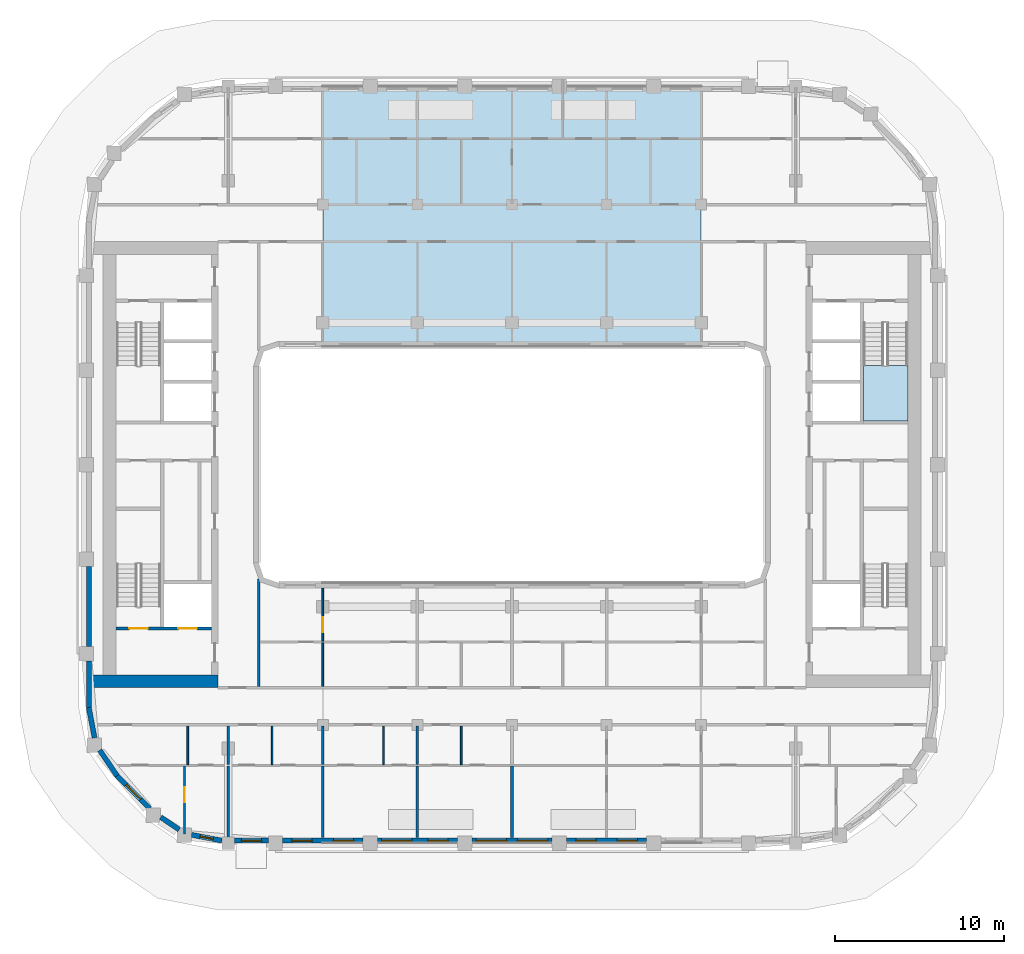
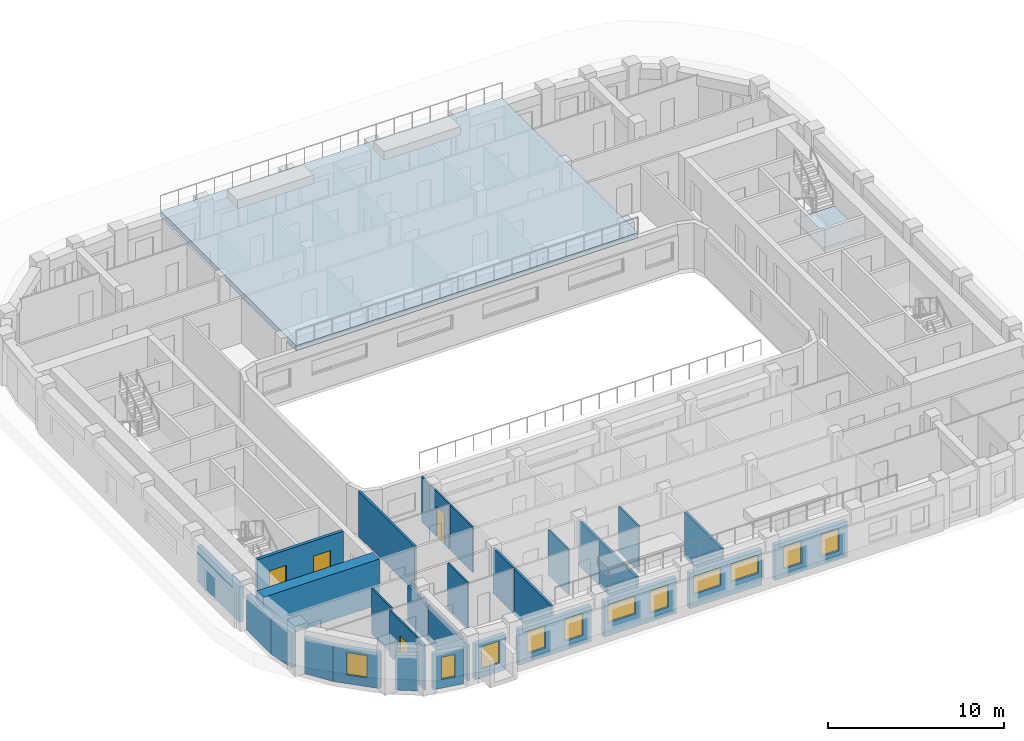
# One storey, part 2 of 16: 29 walls, 11 windows, 4 doors, 2 slabs, 15 openings, 1 element without a shape of its own.
"""IFC4 building model written with IfcOpenShell, lengths in metres."""

from ifc_helpers import new_model, si_unit, direction, frame, frame_2d, origin, place, context, subcontext, project, spatial, polyline, rectangle, outline, extrude, material, layer, layer_set, type_object, element, fill, aggregate, save


model = new_model("IFC4")

# Units and contexts
model_context = context("Model", 3, precision=1e-05, world=origin(), true_north=direction((0.0, 1.0)))
body_context = subcontext(model_context, "Body", "Model", "MODEL_VIEW")
ifc_project = project(units=[si_unit("LENGTHUNIT", "METRE"), si_unit("AREAUNIT", "SQUARE_METRE"), si_unit("VOLUMEUNIT", "CUBIC_METRE"), si_unit("PLANEANGLEUNIT", "RADIAN"), si_unit("MASSUNIT", "GRAM", prefix="KILO")], contexts=[model_context])

# Site, building, storey
site_placement = place(None, origin())
site = spatial("IfcSite", under=ifc_project, at=site_placement, CompositionType="ELEMENT")
building_placement = place(site_placement, origin())
building = spatial("IfcBuilding", under=site, at=building_placement, Name="Kiln Ring Residences", CompositionType="ELEMENT")
storey_placement = place(building_placement, frame((0.0, 0.0, 227.39990234375)))
storey = spatial("IfcBuildingStorey", under=building, at=storey_placement, Name="L59", CompositionType="ELEMENT", Elevation=227.39990234375)

# Stair, slab
ifc_material_1 = material(Name="Concrete C40/50", Category="concrete")
stair_type = type_object("IfcStairType", Name="CORE-STAIR", PredefinedType="HALF_TURN_STAIR", material=ifc_material_1)
stair_placement = place(storey_placement, origin())
stair = element("IfcStair", 1, at=stair_placement, inside=storey, type_object=stair_type, Name="L59 stair E-STN", PredefinedType="HALF_TURN_STAIR")
ifc_material_2 = material(Name="Concrete C40/50", Category="concrete")
ifc_layer_1 = layer(ifc_material_2, 0.199951171875)
ifc_layer_set_1 = layer_set([ifc_layer_1], Name="CORE-STAIR-LANDING")
slab_type_1 = type_object("IfcSlabType", Name="CORE-STAIR-LANDING", PredefinedType="LANDING", material=ifc_layer_set_1)
slab_1_placement = place(storey_placement, frame((0.0, 0.0, 1.550048828125)))
slab_1 = element("IfcSlab", 2, at=slab_1_placement, type_object=slab_type_1, Name="E-STN landing 1", PredefinedType="LANDING", context=body_context, shape_type="SweptSolid", body=[
    extrude(outline(polyline([(20.800048828125, 5.8798828125), (20.800048828125, 2.60009765625), (23.449951171875, 2.60009765625), (23.449951171875, 5.8798828125), (20.800048828125, 5.8798828125)])), origin(), (0.0, 0.0, 1.0), 0.199951171875),
])
aggregate(stair, [slab_1])

# Slab
ifc_material_3 = material(Name="Concrete C40/50", Category="concrete")
ifc_layer_2 = layer(ifc_material_3, 0.35009765625)
ifc_layer_set_2 = layer_set([ifc_layer_2], Name="Roof slab 350")
slab_type_2 = type_object("IfcSlabType", Name="Roof slab 350", PredefinedType="ROOF", material=ifc_layer_set_2)
slab_2_placement = place(storey_placement, frame((0.0, 0.0, 3.150146484375)))
element("IfcSlab", 3, at=slab_2_placement, inside=storey, type_object=slab_type_2, Name="Roof slab L59 2", PredefinedType="ROOF", context=body_context, shape_type="SweptSolid", body=[
    extrude(outline(polyline([(-11.199462890625, 22.39990234375), (-11.199462890625, 7.0), (11.199462890625, 7.0), (11.199462890625, 22.39990234375), (-11.199462890625, 22.39990234375)])), origin(), (0.0, 0.0, 1.0), 0.349853515625),
])

# Wall, openings, doors
ifc_material_4 = material(Name="Concrete C40/50", Category="concrete")
ifc_layer_3 = layer(ifc_material_4, 0.199951171875)
ifc_layer_set_3 = layer_set([ifc_layer_3], Name="CORE-WALL-RC200")
wall_type_1 = type_object("IfcWallType", Name="CORE-WALL-RC200", PredefinedType="SHEAR", material=ifc_layer_set_3)
wall_1_placement = place(storey_placement, frame((-17.800048828125, -9.699951171875, 0.0), z_axis=(0.0, 0.0, 1.0), x_axis=(-1.0, 0.0, 0.0)))
wall_1 = element("IfcWall", 4, at=wall_1_placement, inside=storey, type_object=wall_type_1, Name="Core wall west L59 8", PredefinedType="SHEAR", context=body_context, shape_type="SweptSolid", body=[
    extrude(rectangle(XDim=5.64990234375, YDim=0.199951171875, at=frame_2d((2.824951171875, 0.0))), origin(), (0.0, 0.0, 1.0), 3.150146484375),
])
opening_1_placement = place(wall_1_placement, frame((0.85009765625, 0.0, 0.0)))
opening_1 = element("IfcOpeningElement", 5, at=opening_1_placement, cuts=wall_1, Name="Opening L59-CW01", PredefinedType="OPENING", context=body_context, shape_type="SweptSolid", body=[
    extrude(rectangle(XDim=1.10009765625, YDim=2.10009765625, at=frame_2d((0.550048828125, 1.050048828125))), frame((0.0, 0.10986328125, 0.0), z_axis=(0.0, -1.0, 0.0), x_axis=(1.0, 0.0, 0.0)), (0.0, 0.0, 1.0), 0.219970703125),
])
opening_2_placement = place(wall_1_placement, frame((3.75, 0.0, 0.0)))
opening_2 = element("IfcOpeningElement", 6, at=opening_2_placement, cuts=wall_1, Name="Opening L59-CW10", PredefinedType="OPENING", context=body_context, shape_type="SweptSolid", body=[
    extrude(rectangle(XDim=1.10009765625, YDim=2.10009765625, at=frame_2d((0.550048828125, 1.050048828125))), frame((0.0, 0.10986328125, 0.0), z_axis=(0.0, -1.0, 0.0), x_axis=(1.0, 0.0, 0.0)), (0.0, 0.0, 1.0), 0.219970703125),
])
ifc_material_5 = material(Name="Steel door leaf", Category="steel")
door_type_1 = type_object("IfcDoorType", Name="CORE-DOOR-LD", OperationType="DOUBLE_DOOR_SLIDING", PredefinedType="DOOR", material=ifc_material_5)
door_1_placement = place(opening_1_placement, origin())
door_1 = element("IfcDoor", 7, at=door_1_placement, inside=storey, type_object=door_type_1, Name="LD W-SV L59-CW01", OperationType="DOUBLE_DOOR_SLIDING", OverallHeight=2.10009765625, OverallWidth=1.10009765625, PredefinedType="DOOR", context=body_context, shape_type="SweptSolid", body=[
    extrude(rectangle(XDim=1.10009765625, YDim=2.10009765625, at=frame_2d((0.550048828125, 1.050048828125))), frame((0.0, 0.02490234375, 0.0), z_axis=(0.0, -1.0, 0.0), x_axis=(1.0, 0.0, 0.0)), (0.0, 0.0, 1.0), 0.050048828125),
])
fill(opening_1, door_1)
ifc_material_6 = material(Name="Steel door leaf", Category="steel")
door_type_2 = type_object("IfcDoorType", Name="CORE-DOOR-STAIR", OperationType="SINGLE_SWING_LEFT", PredefinedType="DOOR", material=ifc_material_6)
door_2_placement = place(opening_2_placement, origin())
door_2 = element("IfcDoor", 8, at=door_2_placement, inside=storey, type_object=door_type_2, Name="Stair W-STS L59-CW10", OperationType="SINGLE_SWING_LEFT", OverallHeight=2.10009765625, OverallWidth=1.10009765625, PredefinedType="DOOR", context=body_context, shape_type="SweptSolid", body=[
    extrude(rectangle(XDim=1.10009765625, YDim=2.10009765625, at=frame_2d((0.550048828125, 1.050048828125))), frame((0.0, 0.02490234375, 0.0), z_axis=(0.0, -1.0, 0.0), x_axis=(1.0, 0.0, 0.0)), (0.0, 0.0, 1.0), 0.050048828125),
])
fill(opening_2, door_2)

# Wall
ifc_material_7 = material(Name="Concrete C60/75", Category="concrete")
ifc_layer_4 = layer(ifc_material_7, 0.75)
ifc_layer_set_4 = layer_set([ifc_layer_4], Name="CORE-WALL-RC750")
wall_type_2 = type_object("IfcWallType", Name="CORE-WALL-RC750", PredefinedType="SHEAR", material=ifc_layer_set_4)
wall_2_placement = place(storey_placement, frame((-17.39990234375, -12.824951171875, 0.0), z_axis=(0.0, 0.0, 1.0), x_axis=(-1.0, 0.0, 0.0)))
element("IfcWall", 9, at=wall_2_placement, inside=storey, type_object=wall_type_2, Name="Core wall west L59 5", PredefinedType="SHEAR", context=body_context, shape_type="SweptSolid", body=[
    extrude(rectangle(XDim=7.60009765625, YDim=0.75, at=frame_2d((3.800048828125, 0.0))), origin(), (0.0, 0.0, 1.0), 3.150146484375),
])

# Wall, opening, window
ifc_material_8 = material(Name="Brick masonry, dark clay brick", Category="masonry")
ifc_layer_5 = layer(ifc_material_8, 0.300048828125)
ifc_layer_set_5 = layer_set([ifc_layer_5], Name="EW-300 BRICK WALL")
wall_type_3 = type_object("IfcWallType", Name="EW-300 BRICK WALL", PredefinedType="SOLIDWALL", material=ifc_layer_set_5)
wall_3_placement = place(storey_placement, frame((-23.39697265625, -18.390869140625, 0.0), z_axis=(0.0, 0.0, 1.0), x_axis=(0.707106781187, -0.707106781187, 0.0)))
wall_3 = element("IfcWall", 10, at=wall_3_placement, inside=storey, type_object=wall_type_3, Name="Facade wall L59 1", PredefinedType="SOLIDWALL", context=body_context, shape_type="SweptSolid", body=[
    extrude(rectangle(XDim=2.775146484375, YDim=0.300048828125, at=frame_2d((1.3876953125, 0.0))), origin(), (0.0, 0.0, 1.0), 2.4501953125),
])
opening_3_placement = place(wall_3_placement, frame((0.78759765625, 0.0, 0.60009765625)))
opening_3 = element("IfcOpeningElement", 11, at=opening_3_placement, cuts=wall_3, Name="Opening W1", PredefinedType="OPENING", context=body_context, shape_type="SweptSolid", body=[
    extrude(rectangle(XDim=1.199951171875, YDim=1.550048828125, at=frame_2d((0.60009765625, 0.77490234375))), frame((0.0, 0.159912109375, 0.0), z_axis=(0.0, -1.0, 0.0), x_axis=(1.0, 0.0, 0.0)), (0.0, 0.0, 1.0), 0.320068359375),
])
ifc_material_9 = material(Name="Aluminium frame with double glazing", Category="aluminium")
window_type_1 = type_object("IfcWindowType", Name="WINDOW 1200 x 1550", PartitioningType="SINGLE_PANEL", PredefinedType="WINDOW", material=ifc_material_9)
window_1_placement = place(opening_3_placement, origin())
window_1 = element("IfcWindow", 12, at=window_1_placement, inside=storey, type_object=window_type_1, Name="Window L59 1", OverallHeight=1.550048828125, OverallWidth=1.199951171875, PartitioningType="SINGLE_PANEL", PredefinedType="WINDOW", context=body_context, shape_type="SweptSolid", body=[
    extrude(rectangle(XDim=1.199951171875, YDim=1.550048828125, at=frame_2d((0.60009765625, 0.77490234375))), frame((0.0, 0.030029296875, 0.0), z_axis=(0.0, -1.0, 0.0), x_axis=(1.0, 0.0, 0.0)), (0.0, 0.0, 1.0), 0.06005859375),
])
fill(opening_3, window_1)

# Wall
wall_4_placement = place(storey_placement, frame((-20.7958984375, -20.862060546875, 0.0), z_axis=(0.0, 0.0, 1.0), x_axis=(0.827035970432, -0.562149004813, 0.0)))
element("IfcWall", 13, at=wall_4_placement, inside=storey, type_object=wall_type_3, Name="Facade wall L59 2", PredefinedType="SOLIDWALL", context=body_context, shape_type="SweptSolid", body=[
    extrude(rectangle(XDim=1.3271484375, YDim=0.300048828125, at=frame_2d((0.66357421875, 0.0))), origin(), (0.0, 0.0, 1.0), 2.4501953125),
])

# Wall, opening, window
wall_5_placement = place(storey_placement, frame((-18.970703125, -21.90966796875, 0.0), z_axis=(0.0, 0.0, 1.0), x_axis=(0.982300037503, -0.187314271538, 0.0)))
wall_5 = element("IfcWall", 14, at=wall_5_placement, inside=storey, type_object=wall_type_3, Name="Facade wall L59 3", PredefinedType="SOLIDWALL", context=body_context, shape_type="SweptSolid", body=[
    extrude(rectangle(XDim=1.831298828125, YDim=0.300048828125, at=frame_2d((0.91552734375, 0.0))), origin(), (0.0, 0.0, 1.0), 2.4501953125),
])
opening_4_placement = place(wall_5_placement, frame((0.515625, 0.0, 0.60009765625)))
opening_4 = element("IfcOpeningElement", 15, at=opening_4_placement, cuts=wall_5, Name="Opening W5", PredefinedType="OPENING", context=body_context, shape_type="SweptSolid", body=[
    extrude(rectangle(XDim=0.800048828125, YDim=1.550048828125, at=frame_2d((0.39990234375, 0.77490234375))), frame((0.0, 0.159912109375, 0.0), z_axis=(0.0, -1.0, 0.0), x_axis=(1.0, 0.0, 0.0)), (0.0, 0.0, 1.0), 0.320068359375),
])
ifc_material_10 = material(Name="Aluminium frame with double glazing", Category="aluminium")
window_type_2 = type_object("IfcWindowType", Name="WINDOW 800 x 1550", PartitioningType="SINGLE_PANEL", PredefinedType="WINDOW", material=ifc_material_10)
window_2_placement = place(opening_4_placement, origin())
window_2 = element("IfcWindow", 16, at=window_2_placement, inside=storey, type_object=window_type_2, Name="Window L59 2", OverallHeight=1.550048828125, OverallWidth=0.800048828125, PartitioningType="SINGLE_PANEL", PredefinedType="WINDOW", context=body_context, shape_type="SweptSolid", body=[
    extrude(rectangle(XDim=0.800048828125, YDim=1.550048828125, at=frame_2d((0.39990234375, 0.77490234375))), frame((0.0, 0.030029296875, 0.0), z_axis=(0.0, -1.0, 0.0), x_axis=(1.0, 0.0, 0.0)), (0.0, 0.0, 1.0), 0.06005859375),
])
fill(opening_4, window_2)

wall_6_placement = place(storey_placement, frame((-16.425048828125, -22.25, 0.0), z_axis=(0.0, 0.0, 1.0), x_axis=(1.0, 0.0, 0.0)))
wall_6 = element("IfcWall", 17, at=wall_6_placement, inside=storey, type_object=wall_type_3, Name="Facade wall L59 4", PredefinedType="SOLIDWALL", context=body_context, shape_type="SweptSolid", body=[
    extrude(rectangle(XDim=2.0, YDim=0.300048828125, at=frame_2d((1.0, 0.0))), origin(), (0.0, 0.0, 1.0), 2.4501953125),
])
opening_5_placement = place(wall_6_placement, frame((0.39990234375, 0.0, 0.60009765625)))
opening_5 = element("IfcOpeningElement", 18, at=opening_5_placement, cuts=wall_6, Name="Opening W1", PredefinedType="OPENING", context=body_context, shape_type="SweptSolid", body=[
    extrude(rectangle(XDim=1.199951171875, YDim=1.550048828125, at=frame_2d((0.60009765625, 0.77490234375))), frame((0.0, 0.159912109375, 0.0), z_axis=(0.0, -1.0, 0.0), x_axis=(1.0, 0.0, 0.0)), (0.0, 0.0, 1.0), 0.320068359375),
])
window_3_placement = place(opening_5_placement, origin())
window_3 = element("IfcWindow", 19, at=window_3_placement, inside=storey, type_object=window_type_1, Name="Window L59 3", OverallHeight=1.550048828125, OverallWidth=1.199951171875, PartitioningType="SINGLE_PANEL", PredefinedType="WINDOW", context=body_context, shape_type="SweptSolid", body=[
    extrude(rectangle(XDim=1.199951171875, YDim=1.550048828125, at=frame_2d((0.60009765625, 0.77490234375))), frame((0.0, 0.030029296875, 0.0), z_axis=(0.0, -1.0, 0.0), x_axis=(1.0, 0.0, 0.0)), (0.0, 0.0, 1.0), 0.06005859375),
])
fill(opening_5, window_3)

# Wall, openings, windows
wall_7_placement = place(storey_placement, frame((-13.574951171875, -22.25, 0.0), z_axis=(0.0, 0.0, 1.0), x_axis=(1.0, 0.0, 0.0)))
wall_7 = element("IfcWall", 20, at=wall_7_placement, inside=storey, type_object=wall_type_3, Name="Facade wall L59 5", PredefinedType="SOLIDWALL", context=body_context, shape_type="SweptSolid", body=[
    extrude(rectangle(XDim=4.75, YDim=0.300048828125, at=frame_2d((2.375, 0.0))), origin(), (0.0, 0.0, 1.0), 2.4501953125),
])
opening_6_placement = place(wall_7_placement, frame((0.550048828125, 0.0, 0.60009765625)))
opening_6 = element("IfcOpeningElement", 21, at=opening_6_placement, cuts=wall_7, Name="Opening W1", PredefinedType="OPENING", context=body_context, shape_type="SweptSolid", body=[
    extrude(rectangle(XDim=1.199951171875, YDim=1.550048828125, at=frame_2d((0.60009765625, 0.77490234375))), frame((0.0, 0.159912109375, 0.0), z_axis=(0.0, -1.0, 0.0), x_axis=(1.0, 0.0, 0.0)), (0.0, 0.0, 1.0), 0.320068359375),
])
opening_7_placement = place(wall_7_placement, frame((3.0, 0.0, 0.60009765625)))
opening_7 = element("IfcOpeningElement", 22, at=opening_7_placement, cuts=wall_7, Name="Opening W1", PredefinedType="OPENING", context=body_context, shape_type="SweptSolid", body=[
    extrude(rectangle(XDim=1.199951171875, YDim=1.550048828125, at=frame_2d((0.60009765625, 0.77490234375))), frame((0.0, 0.159912109375, 0.0), z_axis=(0.0, -1.0, 0.0), x_axis=(1.0, 0.0, 0.0)), (0.0, 0.0, 1.0), 0.320068359375),
])
window_4_placement = place(opening_6_placement, origin())
window_4 = element("IfcWindow", 23, at=window_4_placement, inside=storey, type_object=window_type_1, Name="Window L59 4", OverallHeight=1.550048828125, OverallWidth=1.199951171875, PartitioningType="SINGLE_PANEL", PredefinedType="WINDOW", context=body_context, shape_type="SweptSolid", body=[
    extrude(rectangle(XDim=1.199951171875, YDim=1.550048828125, at=frame_2d((0.60009765625, 0.77490234375))), frame((0.0, 0.030029296875, 0.0), z_axis=(0.0, -1.0, 0.0), x_axis=(1.0, 0.0, 0.0)), (0.0, 0.0, 1.0), 0.06005859375),
])
fill(opening_6, window_4)
window_5_placement = place(opening_7_placement, origin())
window_5 = element("IfcWindow", 24, at=window_5_placement, inside=storey, type_object=window_type_1, Name="Window L59 5", OverallHeight=1.550048828125, OverallWidth=1.199951171875, PartitioningType="SINGLE_PANEL", PredefinedType="WINDOW", context=body_context, shape_type="SweptSolid", body=[
    extrude(rectangle(XDim=1.199951171875, YDim=1.550048828125, at=frame_2d((0.60009765625, 0.77490234375))), frame((0.0, 0.030029296875, 0.0), z_axis=(0.0, -1.0, 0.0), x_axis=(1.0, 0.0, 0.0)), (0.0, 0.0, 1.0), 0.06005859375),
])
fill(opening_7, window_5)

wall_8_placement = place(storey_placement, frame((-7.97509765625, -22.25, 0.0), z_axis=(0.0, 0.0, 1.0), x_axis=(1.0, 0.0, 0.0)))
wall_8 = element("IfcWall", 25, at=wall_8_placement, inside=storey, type_object=wall_type_3, Name="Facade wall L59 6", PredefinedType="SOLIDWALL", context=body_context, shape_type="SweptSolid", body=[
    extrude(rectangle(XDim=4.75, YDim=0.300048828125, at=frame_2d((2.375, 0.0))), origin(), (0.0, 0.0, 1.0), 2.4501953125),
])
opening_8_placement = place(wall_8_placement, frame((0.25, 0.0, 0.89990234375)))
opening_8 = element("IfcOpeningElement", 26, at=opening_8_placement, cuts=wall_8, Name="Opening W2", PredefinedType="OPENING", context=body_context, shape_type="SweptSolid", body=[
    extrude(rectangle(XDim=1.800048828125, YDim=1.25, at=frame_2d((0.89990234375, 0.625))), frame((0.0, 0.159912109375, 0.0), z_axis=(0.0, -1.0, 0.0), x_axis=(1.0, 0.0, 0.0)), (0.0, 0.0, 1.0), 0.320068359375),
])
opening_9_placement = place(wall_8_placement, frame((3.0, 0.0, 0.60009765625)))
opening_9 = element("IfcOpeningElement", 27, at=opening_9_placement, cuts=wall_8, Name="Opening W1", PredefinedType="OPENING", context=body_context, shape_type="SweptSolid", body=[
    extrude(rectangle(XDim=1.199951171875, YDim=1.550048828125, at=frame_2d((0.60009765625, 0.77490234375))), frame((0.0, 0.159912109375, 0.0), z_axis=(0.0, -1.0, 0.0), x_axis=(1.0, 0.0, 0.0)), (0.0, 0.0, 1.0), 0.320068359375),
])
window_6_placement = place(opening_9_placement, origin())
window_6 = element("IfcWindow", 28, at=window_6_placement, inside=storey, type_object=window_type_1, Name="Window L59 7", OverallHeight=1.550048828125, OverallWidth=1.199951171875, PartitioningType="SINGLE_PANEL", PredefinedType="WINDOW", context=body_context, shape_type="SweptSolid", body=[
    extrude(rectangle(XDim=1.199951171875, YDim=1.550048828125, at=frame_2d((0.60009765625, 0.77490234375))), frame((0.0, 0.030029296875, 0.0), z_axis=(0.0, -1.0, 0.0), x_axis=(1.0, 0.0, 0.0)), (0.0, 0.0, 1.0), 0.06005859375),
])
fill(opening_9, window_6)
ifc_material_11 = material(Name="Aluminium frame with double glazing", Category="aluminium")
window_type_3 = type_object("IfcWindowType", Name="WINDOW 1800 x 1250", PartitioningType="SINGLE_PANEL", PredefinedType="WINDOW", material=ifc_material_11)
window_7_placement = place(opening_8_placement, origin())
window_7 = element("IfcWindow", 29, at=window_7_placement, inside=storey, type_object=window_type_3, Name="Window L59 6", OverallHeight=1.25, OverallWidth=1.800048828125, PartitioningType="SINGLE_PANEL", PredefinedType="WINDOW", context=body_context, shape_type="SweptSolid", body=[
    extrude(rectangle(XDim=1.800048828125, YDim=1.25, at=frame_2d((0.89990234375, 0.625))), frame((0.0, 0.030029296875, 0.0), z_axis=(0.0, -1.0, 0.0), x_axis=(1.0, 0.0, 0.0)), (0.0, 0.0, 1.0), 0.06005859375),
])
fill(opening_8, window_7)

wall_9_placement = place(storey_placement, frame((-2.375, -22.25, 0.0), z_axis=(0.0, 0.0, 1.0), x_axis=(1.0, 0.0, 0.0)))
wall_9 = element("IfcWall", 30, at=wall_9_placement, inside=storey, type_object=wall_type_3, Name="Facade wall L59 7", PredefinedType="SOLIDWALL", context=body_context, shape_type="SweptSolid", body=[
    extrude(rectangle(XDim=4.75, YDim=0.300048828125, at=frame_2d((2.375, 0.0))), origin(), (0.0, 0.0, 1.0), 2.4501953125),
])
opening_10_placement = place(wall_9_placement, frame((0.25, 0.0, 0.89990234375)))
opening_10 = element("IfcOpeningElement", 31, at=opening_10_placement, cuts=wall_9, Name="Opening W2", PredefinedType="OPENING", context=body_context, shape_type="SweptSolid", body=[
    extrude(rectangle(XDim=1.800048828125, YDim=1.25, at=frame_2d((0.89990234375, 0.625))), frame((0.0, 0.159912109375, 0.0), z_axis=(0.0, -1.0, 0.0), x_axis=(1.0, 0.0, 0.0)), (0.0, 0.0, 1.0), 0.320068359375),
])
opening_11_placement = place(wall_9_placement, frame((2.699951171875, 0.0, 0.89990234375)))
opening_11 = element("IfcOpeningElement", 32, at=opening_11_placement, cuts=wall_9, Name="Opening W2", PredefinedType="OPENING", context=body_context, shape_type="SweptSolid", body=[
    extrude(rectangle(XDim=1.800048828125, YDim=1.25, at=frame_2d((0.89990234375, 0.625))), frame((0.0, 0.159912109375, 0.0), z_axis=(0.0, -1.0, 0.0), x_axis=(1.0, 0.0, 0.0)), (0.0, 0.0, 1.0), 0.320068359375),
])
window_8_placement = place(opening_10_placement, origin())
window_8 = element("IfcWindow", 33, at=window_8_placement, inside=storey, type_object=window_type_3, Name="Window L59 8", OverallHeight=1.25, OverallWidth=1.800048828125, PartitioningType="SINGLE_PANEL", PredefinedType="WINDOW", context=body_context, shape_type="SweptSolid", body=[
    extrude(rectangle(XDim=1.800048828125, YDim=1.25, at=frame_2d((0.89990234375, 0.625))), frame((0.0, 0.030029296875, 0.0), z_axis=(0.0, -1.0, 0.0), x_axis=(1.0, 0.0, 0.0)), (0.0, 0.0, 1.0), 0.06005859375),
])
fill(opening_10, window_8)
window_9_placement = place(opening_11_placement, origin())
window_9 = element("IfcWindow", 34, at=window_9_placement, inside=storey, type_object=window_type_3, Name="Window L59 9", OverallHeight=1.25, OverallWidth=1.800048828125, PartitioningType="SINGLE_PANEL", PredefinedType="WINDOW", context=body_context, shape_type="SweptSolid", body=[
    extrude(rectangle(XDim=1.800048828125, YDim=1.25, at=frame_2d((0.89990234375, 0.625))), frame((0.0, 0.030029296875, 0.0), z_axis=(0.0, -1.0, 0.0), x_axis=(1.0, 0.0, 0.0)), (0.0, 0.0, 1.0), 0.06005859375),
])
fill(opening_11, window_9)

wall_10_placement = place(storey_placement, frame((3.22509765625, -22.25, 0.0), z_axis=(0.0, 0.0, 1.0), x_axis=(1.0, 0.0, 0.0)))
wall_10 = element("IfcWall", 35, at=wall_10_placement, inside=storey, type_object=wall_type_3, Name="Facade wall L59 8", PredefinedType="SOLIDWALL", context=body_context, shape_type="SweptSolid", body=[
    extrude(rectangle(XDim=4.75, YDim=0.300048828125, at=frame_2d((2.375, 0.0))), origin(), (0.0, 0.0, 1.0), 2.4501953125),
])
opening_12_placement = place(wall_10_placement, frame((0.550048828125, 0.0, 0.60009765625)))
opening_12 = element("IfcOpeningElement", 36, at=opening_12_placement, cuts=wall_10, Name="Opening W1", PredefinedType="OPENING", context=body_context, shape_type="SweptSolid", body=[
    extrude(rectangle(XDim=1.199951171875, YDim=1.550048828125, at=frame_2d((0.60009765625, 0.77490234375))), frame((0.0, 0.159912109375, 0.0), z_axis=(0.0, -1.0, 0.0), x_axis=(1.0, 0.0, 0.0)), (0.0, 0.0, 1.0), 0.320068359375),
])
opening_13_placement = place(wall_10_placement, frame((3.0, 0.0, 0.60009765625)))
opening_13 = element("IfcOpeningElement", 37, at=opening_13_placement, cuts=wall_10, Name="Opening W1", PredefinedType="OPENING", context=body_context, shape_type="SweptSolid", body=[
    extrude(rectangle(XDim=1.199951171875, YDim=1.550048828125, at=frame_2d((0.60009765625, 0.77490234375))), frame((0.0, 0.159912109375, 0.0), z_axis=(0.0, -1.0, 0.0), x_axis=(1.0, 0.0, 0.0)), (0.0, 0.0, 1.0), 0.320068359375),
])
window_10_placement = place(opening_12_placement, origin())
window_10 = element("IfcWindow", 38, at=window_10_placement, inside=storey, type_object=window_type_1, Name="Window L59 10", OverallHeight=1.550048828125, OverallWidth=1.199951171875, PartitioningType="SINGLE_PANEL", PredefinedType="WINDOW", context=body_context, shape_type="SweptSolid", body=[
    extrude(rectangle(XDim=1.199951171875, YDim=1.550048828125, at=frame_2d((0.60009765625, 0.77490234375))), frame((0.0, 0.030029296875, 0.0), z_axis=(0.0, -1.0, 0.0), x_axis=(1.0, 0.0, 0.0)), (0.0, 0.0, 1.0), 0.06005859375),
])
fill(opening_12, window_10)
window_11_placement = place(opening_13_placement, origin())
window_11 = element("IfcWindow", 39, at=window_11_placement, inside=storey, type_object=window_type_1, Name="Window L59 11", OverallHeight=1.550048828125, OverallWidth=1.199951171875, PartitioningType="SINGLE_PANEL", PredefinedType="WINDOW", context=body_context, shape_type="SweptSolid", body=[
    extrude(rectangle(XDim=1.199951171875, YDim=1.550048828125, at=frame_2d((0.60009765625, 0.77490234375))), frame((0.0, 0.030029296875, 0.0), z_axis=(0.0, -1.0, 0.0), x_axis=(1.0, 0.0, 0.0)), (0.0, 0.0, 1.0), 0.06005859375),
])
fill(opening_13, window_11)

# Walls
wall_11_placement = place(storey_placement, frame((-25.050048828125, -6.02490234375, 0.0), z_axis=(0.0, 0.0, 1.0), x_axis=(0.0, -1.0, 0.0)))
element("IfcWall", 40, at=wall_11_placement, inside=storey, type_object=wall_type_3, Name="Facade wall L59 43", PredefinedType="SOLIDWALL", context=body_context, shape_type="SweptSolid", body=[
    extrude(rectangle(XDim=4.75, YDim=0.300048828125, at=frame_2d((2.375, 0.0))), origin(), (0.0, 0.0, 1.0), 2.4501953125),
])
wall_12_placement = place(storey_placement, frame((-25.050048828125, -11.625, 0.0), z_axis=(0.0, 0.0, 1.0), x_axis=(0.0, -1.0, 0.0)))
element("IfcWall", 41, at=wall_12_placement, inside=storey, type_object=wall_type_3, Name="Facade wall L59 44", PredefinedType="SOLIDWALL", context=body_context, shape_type="SweptSolid", body=[
    extrude(rectangle(XDim=2.77490234375, YDim=0.300048828125, at=frame_2d((1.387451171875, 0.0))), origin(), (0.0, 0.0, 1.0), 2.4501953125),
])
for number, where, z_axis, x_axis, name in (
    (42, (-25.052734375, -14.371826171875, 0.0), (0.0, 0.0, 1.0), (0.187442908742, -0.982275499014, 0.0), "Facade wall L59 45"),
    (43, (-24.408203125, -16.898193359375, 0.0), (0.0, 0.0, 1.0), (0.562062033417, -0.827095079535, 0.0), "Facade wall L59 46"),
):
    element("IfcWall", number, at=place(storey_placement, frame(where, z_axis=z_axis, x_axis=x_axis)), inside=storey, type_object=wall_type_3, Name=name, PredefinedType="SOLIDWALL", context=body_context, shape_type="SweptSolid", body=[
        extrude(rectangle(XDim=1.831298828125, YDim=0.300048828125, at=frame_2d((0.91552734375, 0.0))), origin(), (0.0, 0.0, 1.0), 2.4501953125),
    ])

# Wall, opening, door
ifc_material_12 = material(Name="Gypsum board on steel studs", Category="steel")
ifc_layer_6 = layer(ifc_material_12, 0.10009765625)
ifc_layer_set_6 = layer_set([ifc_layer_6], Name="PARTITION-100")
wall_type_4 = type_object("IfcWallType", Name="PARTITION-100", PredefinedType="PARTITIONING", material=ifc_layer_set_6)
wall_13_placement = place(storey_placement, frame((-19.389892578125, -21.860107421875, 0.0), z_axis=(0.0, 0.0, 1.0), x_axis=(0.0, 1.0, 0.0)))
wall_13 = element("IfcWall", 44, at=wall_13_placement, inside=storey, type_object=wall_type_4, Name="Partition 007", PredefinedType="PARTITIONING", context=body_context, shape_type="SweptSolid", body=[
    extrude(rectangle(XDim=4.010009765625, YDim=0.10009765625, at=frame_2d((2.0048828125, 0.0))), origin(), (0.0, 0.0, 1.0), 3.150146484375),
])
opening_14_placement = place(wall_13_placement, frame((1.873046875, 0.0, 0.0)))
opening_14 = element("IfcOpeningElement", 45, at=opening_14_placement, cuts=wall_13, Name="Opening L59-D048", PredefinedType="OPENING", context=body_context, shape_type="SweptSolid", body=[
    extrude(rectangle(XDim=0.89990234375, YDim=2.10009765625, at=frame_2d((0.449951171875, 1.050048828125))), frame((0.0, 0.06005859375, 0.0), z_axis=(0.0, -1.0, 0.0), x_axis=(1.0, 0.0, 0.0)), (0.0, 0.0, 1.0), 0.1201171875),
])
ifc_material_13 = material(Name="Timber door leaf", Category="wood")
door_type_3 = type_object("IfcDoorType", Name="FLAT-DOOR-900-PL", OperationType="SINGLE_SWING_LEFT", PredefinedType="DOOR", material=ifc_material_13)
door_3_placement = place(opening_14_placement, origin())
door_3 = element("IfcDoor", 46, at=door_3_placement, inside=storey, type_object=door_type_3, Name="Door L59-D048", OperationType="SINGLE_SWING_RIGHT", OverallHeight=2.10009765625, OverallWidth=0.89990234375, PredefinedType="DOOR", context=body_context, shape_type="SweptSolid", body=[
    extrude(rectangle(XDim=0.89990234375, YDim=2.10009765625, at=frame_2d((0.449951171875, 1.050048828125))), frame((0.0, 0.02490234375, 0.0), z_axis=(0.0, -1.0, 0.0), x_axis=(1.0, 0.0, 0.0)), (0.0, 0.0, 1.0), 0.050048828125),
])
fill(opening_14, door_3)

# Walls
for number, where, z_axis, x_axis, name in (
    (47, (-19.199951171875, -17.75, 0.0), (0.0, 0.0, 1.0), (0.0, 1.0, 0.0), "Partition 008"),
    (48, (-14.199951171875, -17.75, 0.0), (0.0, 0.0, 1.0), (0.0, 1.0, 0.0), "Partition 015"),
):
    element("IfcWall", number, at=place(storey_placement, frame(where, z_axis=z_axis, x_axis=x_axis)), inside=storey, type_object=wall_type_4, Name=name, PredefinedType="PARTITIONING", context=body_context, shape_type="SweptSolid", body=[
        extrude(rectangle(XDim=2.27490234375, YDim=0.10009765625, at=frame_2d((1.137451171875, 0.0))), origin(), (0.0, 0.0, 1.0), 3.150146484375),
    ])
wall_14_placement = place(storey_placement, frame((-11.199951171875, -13.125, 0.0), z_axis=(0.0, 0.0, 1.0), x_axis=(0.0, 1.0, 0.0)))
element("IfcWall", 49, at=wall_14_placement, inside=storey, type_object=wall_type_4, Name="Partition 016", PredefinedType="PARTITIONING", context=body_context, shape_type="SweptSolid", body=[
    extrude(rectangle(XDim=2.574951171875, YDim=0.10009765625, at=frame_2d((1.28759765625, 0.0))), origin(), (0.0, 0.0, 1.0), 3.150146484375),
])

# Wall, opening, door
wall_15_placement = place(storey_placement, frame((-11.199951171875, -10.449951171875, 0.0), z_axis=(0.0, 0.0, 1.0), x_axis=(0.0, 1.0, 0.0)))
wall_15 = element("IfcWall", 50, at=wall_15_placement, inside=storey, type_object=wall_type_4, Name="Partition 017", PredefinedType="PARTITIONING", context=body_context, shape_type="SweptSolid", body=[
    extrude(rectangle(XDim=3.1298828125, YDim=0.10009765625, at=frame_2d((1.56494140625, 0.0))), origin(), (0.0, 0.0, 1.0), 3.150146484375),
])
opening_15_placement = place(wall_15_placement, frame((0.530029296875, 0.0, 0.0)))
opening_15 = element("IfcOpeningElement", 51, at=opening_15_placement, cuts=wall_15, Name="Opening L59-D034", PredefinedType="OPENING", context=body_context, shape_type="SweptSolid", body=[
    extrude(rectangle(XDim=0.89990234375, YDim=2.10009765625, at=frame_2d((0.449951171875, 1.050048828125))), frame((0.0, 0.06005859375, 0.0), z_axis=(0.0, -1.0, 0.0), x_axis=(1.0, 0.0, 0.0)), (0.0, 0.0, 1.0), 0.1201171875),
])
door_4_placement = place(opening_15_placement, origin())
door_4 = element("IfcDoor", 52, at=door_4_placement, inside=storey, type_object=door_type_3, Name="Door L59-D034", OperationType="SINGLE_SWING_RIGHT", OverallHeight=2.10009765625, OverallWidth=0.89990234375, PredefinedType="DOOR", context=body_context, shape_type="SweptSolid", body=[
    extrude(rectangle(XDim=0.89990234375, YDim=2.10009765625, at=frame_2d((0.449951171875, 1.050048828125))), frame((0.0, 0.02490234375, 0.0), z_axis=(0.0, -1.0, 0.0), x_axis=(1.0, 0.0, 0.0)), (0.0, 0.0, 1.0), 0.050048828125),
])
fill(opening_15, door_4)

# Walls
for number, where, z_axis, x_axis, name in (
    (53, (-7.60009765625, -17.75, 0.0), (0.0, 0.0, 1.0), (0.0, 1.0, 0.0), "Partition 024"),
    (54, (-3.0, -17.75, 0.0), (0.0, 0.0, 1.0), (0.0, 1.0, 0.0), "Partition 032"),
):
    element("IfcWall", number, at=place(storey_placement, frame(where, z_axis=z_axis, x_axis=x_axis)), inside=storey, type_object=wall_type_4, Name=name, PredefinedType="PARTITIONING", context=body_context, shape_type="SweptSolid", body=[
        extrude(rectangle(XDim=2.27490234375, YDim=0.10009765625, at=frame_2d((1.137451171875, 0.0))), origin(), (0.0, 0.0, 1.0), 3.150146484375),
    ])
ifc_material_14 = material(Name="Brick masonry partition", Category="masonry")
ifc_layer_7 = layer(ifc_material_14, 0.14990234375)
ifc_layer_set_7 = layer_set([ifc_layer_7], Name="PARTITION-150-ei60")
wall_type_5 = type_object("IfcWallType", Name="PARTITION-150-ei60", PredefinedType="PARTITIONING", material=ifc_layer_set_7)
wall_16_placement = place(storey_placement, frame((-16.800048828125, -22.31005859375, 0.0), z_axis=(0.0, 0.0, 1.0), x_axis=(0.0, 1.0, 0.0)))
element("IfcWall", 55, at=wall_16_placement, inside=storey, type_object=wall_type_5, Name="Partition 011", PredefinedType="PARTITIONING", context=body_context, shape_type="SweptSolid", body=[
    extrude(rectangle(XDim=4.4599609375, YDim=0.14990234375, at=frame_2d((2.22998046875, 0.0))), origin(), (0.0, 0.0, 1.0), 2.5),
])
wall_17_placement = place(storey_placement, frame((-16.800048828125, -17.75, 0.0), z_axis=(0.0, 0.0, 1.0), x_axis=(0.0, 1.0, 0.0)))
element("IfcWall", 56, at=wall_17_placement, inside=storey, type_object=wall_type_5, Name="Partition 012", PredefinedType="PARTITIONING", context=body_context, shape_type="SweptSolid", body=[
    extrude(rectangle(XDim=2.27490234375, YDim=0.14990234375, at=frame_2d((1.137451171875, 0.0))), origin(), (0.0, 0.0, 1.0), 2.5),
])
wall_18_placement = place(storey_placement, frame((-15.0, -13.125, 0.0), z_axis=(0.0, 0.0, 1.0), x_axis=(0.0, 1.0, 0.0)))
element("IfcWall", 57, at=wall_18_placement, inside=storey, type_object=wall_type_5, Name="Partition 013", PredefinedType="PARTITIONING", context=body_context, shape_type="SweptSolid", body=[
    extrude(rectangle(XDim=6.356201171875, YDim=0.14990234375, at=frame_2d((3.17822265625, 0.0))), origin(), (0.0, 0.0, 1.0), 3.150146484375),
])
wall_19_placement = place(storey_placement, frame((-11.199951171875, -22.080078125, 0.0), z_axis=(0.0, 0.0, 1.0), x_axis=(0.0, 1.0, 0.0)))
element("IfcWall", 58, at=wall_19_placement, inside=storey, type_object=wall_type_5, Name="Partition 019", PredefinedType="PARTITIONING", context=body_context, shape_type="SweptSolid", body=[
    extrude(rectangle(XDim=4.22998046875, YDim=0.14990234375, at=frame_2d((2.114990234375, 0.0))), origin(), (0.0, 0.0, 1.0), 3.150146484375),
])
wall_20_placement = place(storey_placement, frame((-11.199951171875, -17.75, 0.0), z_axis=(0.0, 0.0, 1.0), x_axis=(0.0, 1.0, 0.0)))
element("IfcWall", 59, at=wall_20_placement, inside=storey, type_object=wall_type_5, Name="Partition 020", PredefinedType="PARTITIONING", context=body_context, shape_type="SweptSolid", body=[
    extrude(rectangle(XDim=2.27490234375, YDim=0.14990234375, at=frame_2d((1.137451171875, 0.0))), origin(), (0.0, 0.0, 1.0), 3.150146484375),
])
wall_21_placement = place(storey_placement, frame((-5.60009765625, -22.080078125, 0.0), z_axis=(0.0, 0.0, 1.0), x_axis=(0.0, 1.0, 0.0)))
element("IfcWall", 60, at=wall_21_placement, inside=storey, type_object=wall_type_5, Name="Partition 026", PredefinedType="PARTITIONING", context=body_context, shape_type="SweptSolid", body=[
    extrude(rectangle(XDim=4.22998046875, YDim=0.14990234375, at=frame_2d((2.114990234375, 0.0))), origin(), (0.0, 0.0, 1.0), 3.150146484375),
])
wall_22_placement = place(storey_placement, frame((-5.60009765625, -17.75, 0.0), z_axis=(0.0, 0.0, 1.0), x_axis=(0.0, 1.0, 0.0)))
element("IfcWall", 61, at=wall_22_placement, inside=storey, type_object=wall_type_5, Name="Partition 027", PredefinedType="PARTITIONING", context=body_context, shape_type="SweptSolid", body=[
    extrude(rectangle(XDim=2.27490234375, YDim=0.14990234375, at=frame_2d((1.137451171875, 0.0))), origin(), (0.0, 0.0, 1.0), 3.150146484375),
])
wall_23_placement = place(storey_placement, frame((0.0, -22.080078125, 0.0), z_axis=(0.0, 0.0, 1.0), x_axis=(0.0, 1.0, 0.0)))
element("IfcWall", 62, at=wall_23_placement, inside=storey, type_object=wall_type_5, Name="Partition 038", PredefinedType="PARTITIONING", context=body_context, shape_type="SweptSolid", body=[
    extrude(rectangle(XDim=4.22998046875, YDim=0.14990234375, at=frame_2d((2.114990234375, 0.0))), origin(), (0.0, 0.0, 1.0), 3.150146484375),
])

save(model, "model.ifc")
